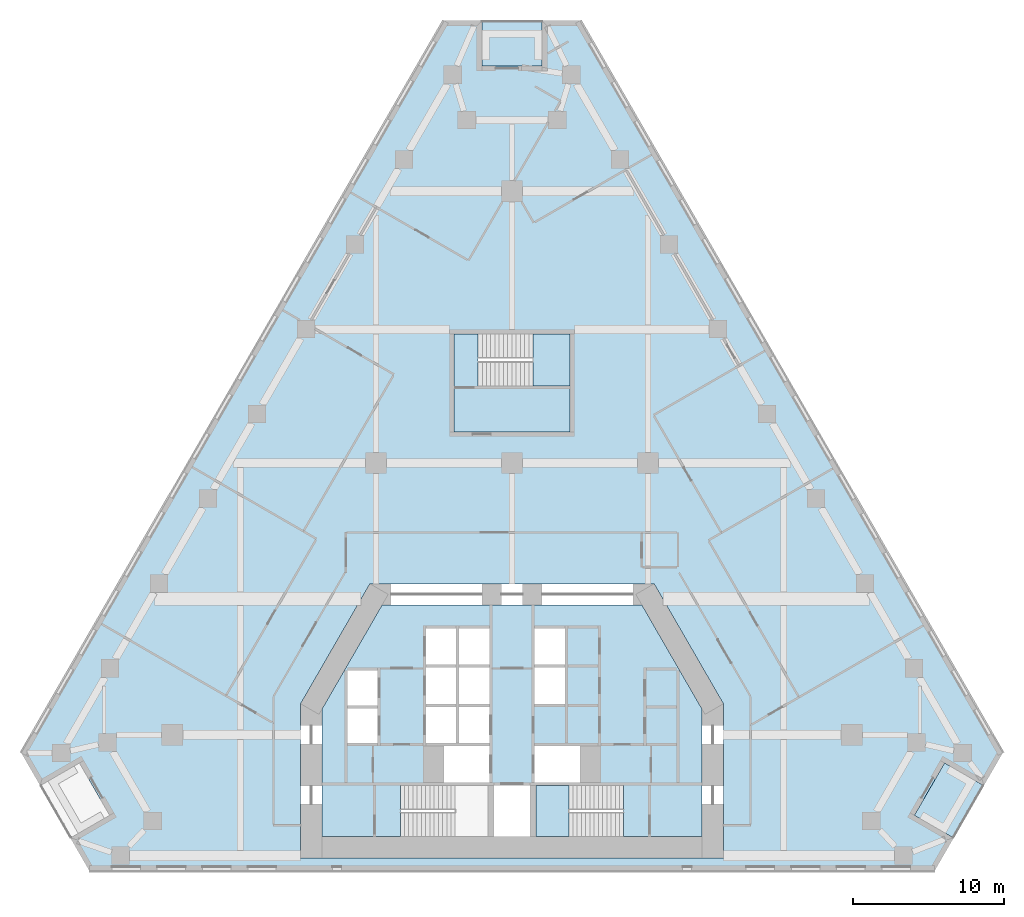
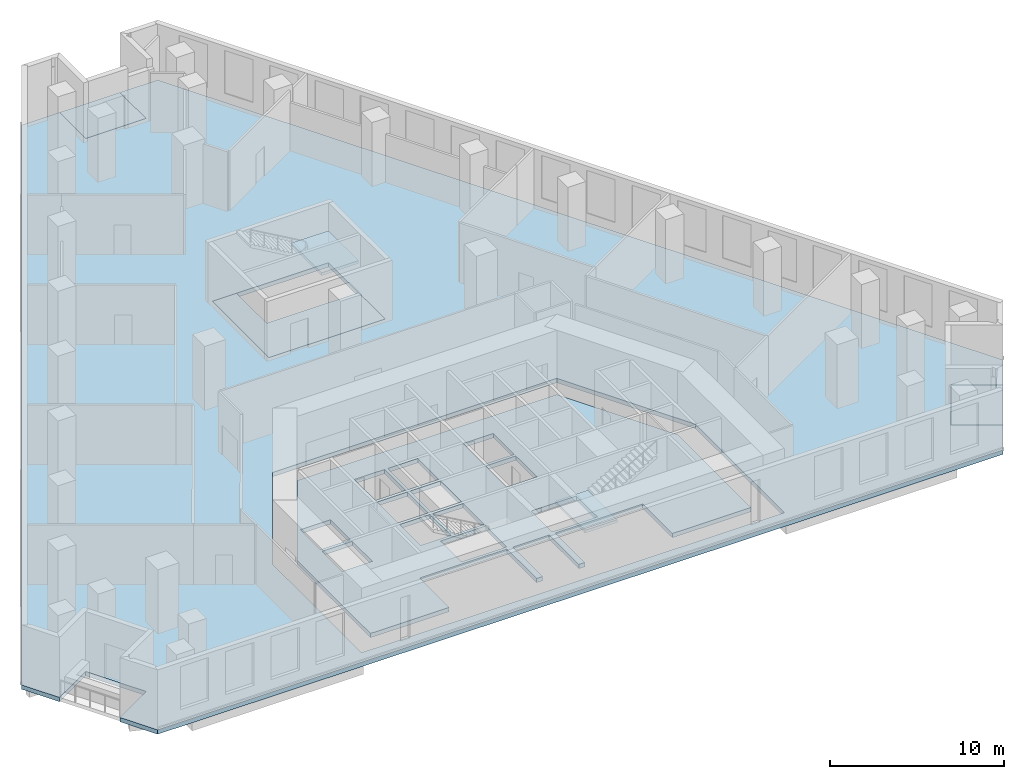
# One storey, part 2 of 14: 7 slabs, 2 elements without a shape of their own.
"""IFC4 building model written with IfcOpenShell, lengths in metres."""

from ifc_helpers import new_model, si_unit, direction, frame, origin, place, context, subcontext, project, spatial, polyline, outline, extrude, material, layer, layer_set, type_object, element, aggregate, save


model = new_model("IFC4")

# Units and contexts
model_context = context("Model", 3, precision=1e-05, world=origin(), true_north=direction((0.0, 1.0)))
body_context = subcontext(model_context, "Body", "Model", "MODEL_VIEW")
ifc_project = project(units=[si_unit("LENGTHUNIT", "METRE"), si_unit("AREAUNIT", "SQUARE_METRE"), si_unit("VOLUMEUNIT", "CUBIC_METRE"), si_unit("PLANEANGLEUNIT", "RADIAN"), si_unit("MASSUNIT", "GRAM", prefix="KILO")], contexts=[model_context])

# Site, building, storey
site_placement = place(None, origin())
site = spatial("IfcSite", under=ifc_project, at=site_placement, CompositionType="ELEMENT")
building_placement = place(site_placement, origin())
building = spatial("IfcBuilding", under=site, at=building_placement, Name="Fogline Exchange Tower", CompositionType="ELEMENT")
storey_placement = place(building_placement, frame((0.0, 0.0, 29.5)))
storey = spatial("IfcBuildingStorey", under=building, at=storey_placement, Name="L05", CompositionType="ELEMENT", Elevation=29.5)

# Slabs
ifc_material = material(Name="Concrete C40", Category="concrete")
ifc_layer_1 = layer(ifc_material, 0.25)
ifc_layer_set_1 = layer_set([ifc_layer_1], Name="DK1")
slab_type_1 = type_object("IfcSlabType", Name="DK1", PredefinedType="FLOOR", material=ifc_layer_set_1)
slab_1_placement = place(storey_placement, frame((0.0, 0.0, -0.25)))
element("IfcSlab", 1, at=slab_1_placement, inside=storey, type_object=slab_type_1, Name="Balcony L05 SE", PredefinedType="FLOOR", context=body_context, shape_type="SweptSolid", body=[
    extrude(outline(polyline([(29.25, 2.1650390625), (31.25, 5.629150390625), (28.65185546875, 7.129150390625), (26.65185546875, 3.6650390625), (29.25, 2.1650390625)])), origin(), (0.0, 0.0, 1.0), 0.25),
])
slab_2_placement = place(storey_placement, frame((0.0, 0.0, -0.25)))
element("IfcSlab", 2, at=slab_2_placement, inside=storey, type_object=slab_type_1, Name="Balcony L05 N", PredefinedType="FLOOR", context=body_context, shape_type="SweptSolid", body=[
    extrude(outline(polyline([(2.0, 56.291748046875), (-2.0, 56.291748046875), (-2.0, 53.291748046875), (2.0, 53.291748046875), (2.0, 56.291748046875)])), origin(), (0.0, 0.0, 1.0), 0.25),
])
ifc_layer_2 = layer(ifc_material, 0.300048828125)
ifc_layer_set_2 = layer_set([ifc_layer_2], Name="S04")
slab_type_2 = type_object("IfcSlabType", Name="S04", PredefinedType="FLOOR", material=ifc_layer_set_2)
slab_3_placement = place(storey_placement, frame((0.0, 0.0, -0.300048828125)))
element("IfcSlab", 3, at=slab_3_placement, inside=storey, type_object=slab_type_2, Name="SLAB L05", PredefinedType="FLOOR", context=body_context, shape_type="SweptSolid", body=[
    extrude(outline(polyline([(-2.0, 56.291748046875), (-4.5, 56.291748046875), (-32.5, 7.794189453125), (-31.25, 5.629150390625), (-28.65185546875, 7.129150390625), (-26.65185546875, 3.6650390625), (-29.25, 2.1650390625), (-28.0, 0.0), (28.0, 0.0), (29.25, 2.1650390625), (26.65185546875, 3.6650390625), (28.65185546875, 7.129150390625), (31.25, 5.629150390625), (32.5, 7.794189453125), (4.5, 56.291748046875), (2.0, 56.291748046875), (2.0, 53.291748046875), (-2.0, 53.291748046875), (-2.0, 56.291748046875)]), holes=[polyline([(14.0, 11.052490234375), (14.0, 0.85009765625), (-14.0, 0.85009765625), (-14.0, 11.052490234375), (-9.41162109375, 19.0), (9.41162109375, 19.0), (14.0, 11.052490234375)]), polyline([(3.85009765625, 35.556884765625), (3.85009765625, 29.056884765625), (-3.85009765625, 29.056884765625), (-3.85009765625, 35.556884765625), (3.85009765625, 35.556884765625)])]), origin(), (0.0, 0.0, 1.0), 0.300048828125),
])
slab_4_placement = place(storey_placement, frame((0.0, 0.0, -0.300048828125)))
element("IfcSlab", 4, at=slab_4_placement, inside=storey, type_object=slab_type_2, Name="Core floor slab", PredefinedType="FLOOR", context=body_context, shape_type="SweptSolid", body=[
    extrude(outline(polyline([(-12.60009765625, 2.25), (-12.60009765625, 10.677490234375), (-8.603271484375, 17.60009765625), (8.603271484375, 17.60009765625), (12.60009765625, 10.677490234375), (12.60009765625, 2.25), (7.389892578125, 2.25), (7.389892578125, 5.64990234375), (1.60009765625, 5.64990234375), (1.60009765625, 2.25), (1.199951171875, 2.25), (1.199951171875, 5.64990234375), (-1.199951171875, 5.64990234375), (-1.199951171875, 2.25), (-1.60009765625, 2.25), (-1.60009765625, 5.64990234375), (-7.389892578125, 5.64990234375), (-7.389892578125, 2.25), (-12.60009765625, 2.25)]), holes=[polyline([(-1.5, 8.25), (-4.5, 8.25), (-4.5, 5.85009765625), (-1.5, 5.85009765625), (-1.5, 8.25)]), polyline([(-8.89990234375, 10.75), (-10.89990234375, 10.75), (-10.89990234375, 8.449951171875), (-8.89990234375, 8.449951171875), (-8.89990234375, 10.75)]), polyline([(-3.699951171875, 10.85009765625), (-5.699951171875, 10.85009765625), (-5.699951171875, 8.449951171875), (-3.699951171875, 8.449951171875), (-3.699951171875, 10.85009765625)]), polyline([(-1.5, 10.85009765625), (-3.5, 10.85009765625), (-3.5, 8.449951171875), (-1.5, 8.449951171875), (-1.5, 10.85009765625)]), polyline([(-8.89990234375, 13.25), (-10.89990234375, 13.25), (-10.89990234375, 10.949951171875), (-8.89990234375, 10.949951171875), (-8.89990234375, 13.25)]), polyline([(-3.699951171875, 13.449951171875), (-5.699951171875, 13.449951171875), (-5.699951171875, 11.050048828125), (-3.699951171875, 11.050048828125), (-3.699951171875, 13.449951171875)]), polyline([(-3.699951171875, 16.050048828125), (-5.699951171875, 16.050048828125), (-5.699951171875, 13.64990234375), (-3.699951171875, 13.64990234375), (-3.699951171875, 16.050048828125)]), polyline([(4.5, 8.25), (1.5, 8.25), (1.5, 5.85009765625), (4.5, 5.85009765625), (4.5, 8.25)]), polyline([(-1.5, 13.449951171875), (-3.5, 13.449951171875), (-3.5, 11.050048828125), (-1.5, 11.050048828125), (-1.5, 13.449951171875)]), polyline([(3.5, 13.449951171875), (1.5, 13.449951171875), (1.5, 11.050048828125), (3.5, 11.050048828125), (3.5, 13.449951171875)]), polyline([(-1.5, 16.050048828125), (-3.5, 16.050048828125), (-3.5, 13.64990234375), (-1.5, 13.64990234375), (-1.5, 16.050048828125)]), polyline([(3.5, 16.050048828125), (1.5, 16.050048828125), (1.5, 13.64990234375), (3.5, 13.64990234375), (3.5, 16.050048828125)])]), origin(), (0.0, 0.0, 1.0), 0.300048828125),
])
slab_5_placement = place(storey_placement, frame((0.0, 0.0, -0.300048828125)))
element("IfcSlab", 5, at=slab_5_placement, inside=storey, type_object=slab_type_2, Name="Stair enclosure floor slab", PredefinedType="FLOOR", context=body_context, shape_type="SweptSolid", body=[
    extrude(outline(polyline([(3.85009765625, 29.056884765625), (-3.85009765625, 29.056884765625), (-3.85009765625, 35.556884765625), (-2.239990234375, 35.556884765625), (-2.239990234375, 32.10693359375), (3.85009765625, 32.10693359375), (3.85009765625, 29.056884765625)])), origin(), (0.0, 0.0, 1.0), 0.300048828125),
])

# Stair, slab
stair_type = type_object("IfcStairType", Name="STR28-1607", PredefinedType="HALF_TURN_STAIR", material=ifc_material)
stair_1_placement = place(storey_placement, origin())
stair_1 = element("IfcStair", 6, at=stair_1_placement, inside=storey, type_object=stair_type, Name="Stair ST2", PredefinedType="HALF_TURN_STAIR")
ifc_layer_3 = layer(ifc_material, 0.199951171875)
ifc_layer_set_3 = layer_set([ifc_layer_3], Name="SL200")
slab_type_3 = type_object("IfcSlabType", Name="SL200", PredefinedType="LANDING", material=ifc_layer_set_3)
slab_6_placement = place(storey_placement, frame((0.0, 0.0, 2.050048828125)))
slab_6 = element("IfcSlab", 7, at=slab_6_placement, type_object=slab_type_3, Name="ST2 landing 1", PredefinedType="LANDING", context=body_context, shape_type="SweptSolid", body=[
    extrude(outline(polyline([(1.60009765625, 2.25), (3.760009765625, 2.25), (3.760009765625, 5.64990234375), (1.60009765625, 5.64990234375), (1.60009765625, 2.25)])), origin(), (0.0, 0.0, 1.0), 0.199951171875),
])
aggregate(stair_1, [slab_6])

stair_2_placement = place(storey_placement, origin())
stair_2 = element("IfcStair", 8, at=stair_2_placement, inside=storey, type_object=stair_type, Name="Stair ST3", PredefinedType="HALF_TURN_STAIR")
slab_7_placement = place(storey_placement, frame((0.0, 0.0, 2.050048828125)))
slab_7 = element("IfcSlab", 9, at=slab_7_placement, type_object=slab_type_3, Name="ST3 landing 1", PredefinedType="LANDING", context=body_context, shape_type="SweptSolid", body=[
    extrude(outline(polyline([(1.389892578125, 32.10693359375), (3.85009765625, 32.10693359375), (3.85009765625, 35.556884765625), (1.389892578125, 35.556884765625), (1.389892578125, 32.10693359375)])), origin(), (0.0, 0.0, 1.0), 0.199951171875),
])
aggregate(stair_2, [slab_7])

save(model, "model.ifc")
